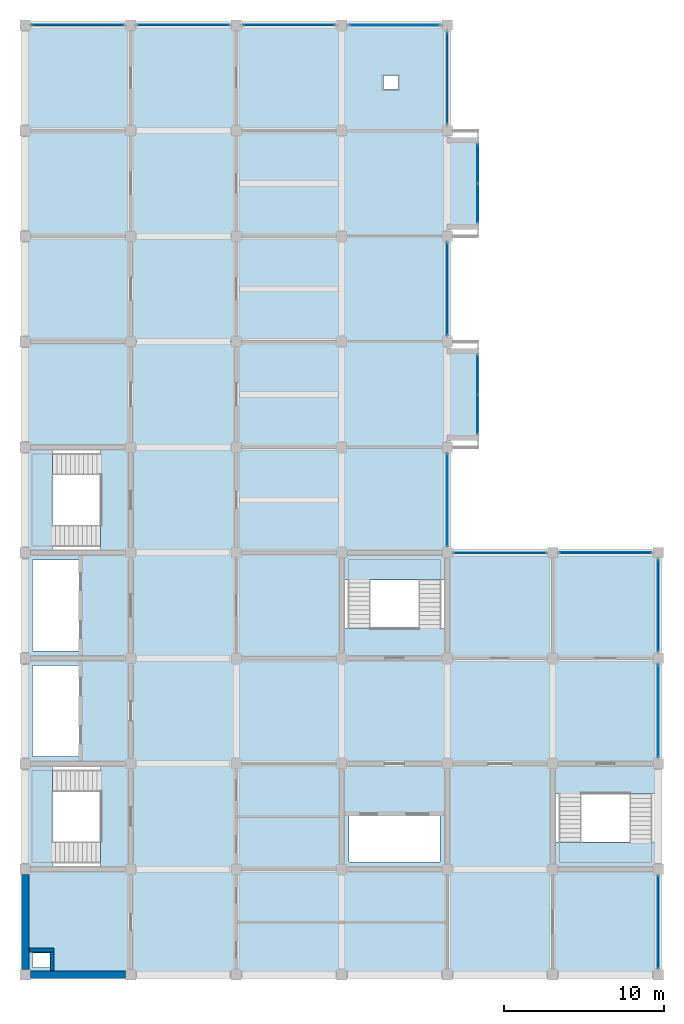
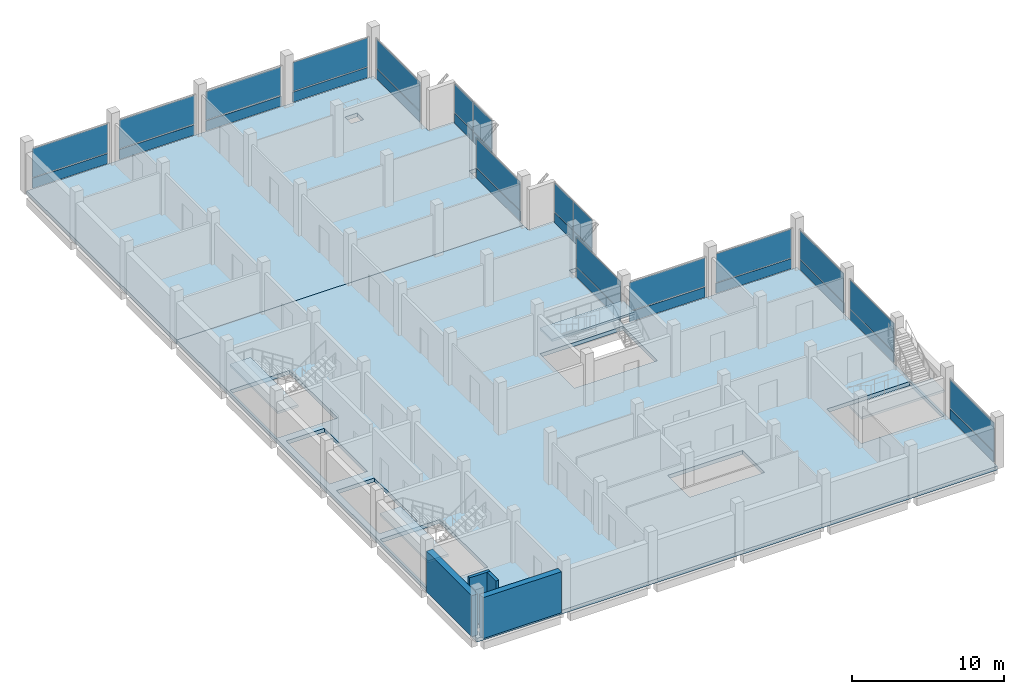
# One storey, part 6 of 10: 32 plates, 6 slabs, 4 walls, 18 elements without a shape of their own.
"""IFC4 building model written with IfcOpenShell, lengths in metres."""

from ifc_helpers import new_model, si_unit, direction, frame, frame_2d, origin, origin_2d, place, context, subcontext, project, spatial, polyline, rectangle, outline, extrude, material, layer, layer_set, type_object, element, aggregate, save


model = new_model("IFC4")

# Units and contexts
model_context = context("Model", 3, precision=1e-05, world=origin(), true_north=direction((0.0, 1.0)))
body_context = subcontext(model_context, "Body", "Model", "MODEL_VIEW")
ifc_project = project(units=[si_unit("LENGTHUNIT", "METRE"), si_unit("AREAUNIT", "SQUARE_METRE"), si_unit("VOLUMEUNIT", "CUBIC_METRE"), si_unit("PLANEANGLEUNIT", "RADIAN"), si_unit("MASSUNIT", "GRAM", prefix="KILO")], contexts=[model_context])

# Site, building, storey
site_placement = place(None, origin())
site = spatial("IfcSite", under=ifc_project, at=site_placement, CompositionType="ELEMENT")
building_placement = place(site_placement, origin())
building = spatial("IfcBuilding", under=site, at=building_placement, Name="Rusizi Kubbe Research Institute", CompositionType="ELEMENT")
storey_placement = place(building_placement, frame((0.0, 0.0, 52.199951171875)))
storey = spatial("IfcBuildingStorey", under=building, at=storey_placement, Name="L12", CompositionType="ELEMENT", Elevation=52.199951171875)

# Curtain wall, plate
ifc_material_1 = material(Name="Thermally Broken Aluminium and Low-E Glazing", Category="aluminium")
curtain_wall_type_1 = type_object("IfcCurtainWallType", Name="CW-15", PredefinedType="NOTDEFINED", material=ifc_material_1)
curtain_wall_1_placement = place(storey_placement, origin())
curtain_wall_1 = element("IfcCurtainWall", 1, at=curtain_wall_1_placement, inside=storey, type_object=curtain_wall_type_1, Name="Unitised Facade Curtain Wall CW-L12-H-03-09", PredefinedType="NOTDEFINED")
ifc_material_2 = material(Name="Double Low-E Solar Control Insulated Glass", Category="glass")
ifc_layer_1 = layer(ifc_material_2, 0.02392578125)
ifc_layer_set_1 = layer_set([ifc_layer_1], Name="Double Low-E Solar Control Insulated Glass")
plate_type_1 = type_object("IfcPlateType", Name="GL-01", PredefinedType="CURTAIN_PANEL", material=ifc_layer_set_1)
plate_1_placement = place(storey_placement, frame((23.10009765625, 59.39990234375, 0.929931640625), z_axis=(0.0, 0.0, 1.0), x_axis=(1.0, 0.0, 0.0)))
plate_1 = element("IfcPlate", 2, at=plate_1_placement, type_object=plate_type_1, Name="CW-15 panel 1.2", PredefinedType="CURTAIN_PANEL", context=body_context, shape_type="SweptSolid", body=[
    extrude(rectangle(XDim=5.739990234375, YDim=0.02392578125, at=origin_2d()), origin(), (0.0, 0.0, 1.0), 2.31005859375),
])

ifc_material_3 = material(Name="Thermally Broken Aluminium and Low-E Glazing", Category="aluminium")
curtain_wall_type_2 = type_object("IfcCurtainWallType", Name="CW-14", PredefinedType="NOTDEFINED", material=ifc_material_3)
curtain_wall_2_placement = place(storey_placement, origin())
curtain_wall_2 = element("IfcCurtainWall", 3, at=curtain_wall_2_placement, inside=storey, type_object=curtain_wall_type_2, Name="Unitised Facade Curtain Wall CW-L12-H-00-09", PredefinedType="NOTDEFINED")
ifc_material_4 = material(Name="Double Low-E Solar Control Insulated Glass", Category="glass")
ifc_layer_2 = layer(ifc_material_4, 0.028076171875)
ifc_layer_set_2 = layer_set([ifc_layer_2], Name="Double Low-E Solar Control Insulated Glass")
plate_type_2 = type_object("IfcPlateType", Name="GL-02", PredefinedType="CURTAIN_PANEL", material=ifc_layer_set_2)
plate_2_placement = place(storey_placement, frame((3.300048828125, 59.39990234375, 0.929931640625), z_axis=(0.0, 0.0, 1.0), x_axis=(1.0, 0.0, 0.0)))
plate_2 = element("IfcPlate", 4, at=plate_2_placement, type_object=plate_type_2, Name="CW-14 panel 1.2", PredefinedType="CURTAIN_PANEL", context=body_context, shape_type="SweptSolid", body=[
    extrude(rectangle(XDim=5.75, YDim=0.028076171875, at=origin_2d()), origin(), (0.0, 0.0, 1.0), 2.31005859375),
])

curtain_wall_3_placement = place(storey_placement, origin())
curtain_wall_3 = element("IfcCurtainWall", 5, at=curtain_wall_3_placement, inside=storey, type_object=curtain_wall_type_2, Name="Unitised Facade Curtain Wall CW-L12-V-04-08", PredefinedType="NOTDEFINED")
plate_3_placement = place(storey_placement, frame((26.39990234375, 56.10009765625, 0.929931640625), z_axis=(0.0, 0.0, 1.0), x_axis=(0.0, 1.0, 0.0)))
plate_3 = element("IfcPlate", 6, at=plate_3_placement, type_object=plate_type_2, Name="CW-14 panel 1.2", PredefinedType="CURTAIN_PANEL", context=body_context, shape_type="SweptSolid", body=[
    extrude(rectangle(XDim=5.72998046875, YDim=0.028076171875, at=origin_2d()), origin(), (0.0, 0.0, 1.0), 2.31005859375),
])

curtain_wall_4_placement = place(storey_placement, origin())
curtain_wall_4 = element("IfcCurtainWall", 7, at=curtain_wall_4_placement, inside=storey, type_object=curtain_wall_type_1, Name="Unitised Facade Curtain Wall CW-L12-H-01-09", PredefinedType="NOTDEFINED")
ifc_material_5 = material(Name="Double Low-E Solar Control Insulated Glass", Category="glass")
ifc_layer_3 = layer(ifc_material_5, 0.031982421875)
ifc_layer_set_3 = layer_set([ifc_layer_3], Name="Double Low-E Solar Control Insulated Glass")
plate_type_3 = type_object("IfcPlateType", Name="GL-03", PredefinedType="CURTAIN_PANEL", material=ifc_layer_set_3)
plate_4_placement = place(storey_placement, frame((9.89990234375, 59.39990234375, 0.9326171875), z_axis=(0.0, 0.0, 1.0), x_axis=(1.0, 0.0, 0.0)))
plate_4 = element("IfcPlate", 8, at=plate_4_placement, type_object=plate_type_3, Name="CW-15 panel 1.2", PredefinedType="CURTAIN_PANEL", context=body_context, shape_type="SweptSolid", body=[
    extrude(rectangle(XDim=5.739990234375, YDim=0.031982421875, at=origin_2d()), origin(), (0.0, 0.0, 1.0), 2.302490234375),
])

curtain_wall_5_placement = place(storey_placement, origin())
curtain_wall_5 = element("IfcCurtainWall", 9, at=curtain_wall_5_placement, inside=storey, type_object=curtain_wall_type_1, Name="Unitised Facade Curtain Wall CW-L12-H-04-04", PredefinedType="NOTDEFINED")
plate_5_placement = place(storey_placement, frame((29.699951171875, 26.39990234375, 0.9326171875), z_axis=(0.0, 0.0, 1.0), x_axis=(1.0, 0.0, 0.0)))
plate_5 = element("IfcPlate", 10, at=plate_5_placement, type_object=plate_type_3, Name="CW-15 panel 1.2", PredefinedType="CURTAIN_PANEL", context=body_context, shape_type="SweptSolid", body=[
    extrude(rectangle(XDim=5.77001953125, YDim=0.031982421875, at=origin_2d()), origin(), (0.0, 0.0, 1.0), 2.302490234375),
])

curtain_wall_6_placement = place(storey_placement, origin())
curtain_wall_6 = element("IfcCurtainWall", 11, at=curtain_wall_6_placement, inside=storey, type_object=curtain_wall_type_2, Name="Unitised Facade Curtain Wall CW-L12-H-02-09", PredefinedType="NOTDEFINED")
ifc_material_6 = material(Name="Double Low-E Solar Control Insulated Glass", Category="glass")
ifc_layer_4 = layer(ifc_material_6, 0.035888671875)
ifc_layer_set_4 = layer_set([ifc_layer_4], Name="Double Low-E Solar Control Insulated Glass")
plate_type_4 = type_object("IfcPlateType", Name="GL-04", PredefinedType="CURTAIN_PANEL", material=ifc_layer_set_4)
plate_6_placement = place(storey_placement, frame((16.5, 59.39990234375, 0.93505859375), z_axis=(0.0, 0.0, 1.0), x_axis=(1.0, 0.0, 0.0)))
plate_6 = element("IfcPlate", 12, at=plate_6_placement, type_object=plate_type_4, Name="CW-14 panel 1.2", PredefinedType="CURTAIN_PANEL", context=body_context, shape_type="SweptSolid", body=[
    extrude(rectangle(XDim=5.72998046875, YDim=0.035888671875, at=origin_2d()), origin(), (0.0, 0.0, 1.0), 2.294921875),
])

curtain_wall_7_placement = place(storey_placement, origin())
curtain_wall_7 = element("IfcCurtainWall", 13, at=curtain_wall_7_placement, inside=storey, type_object=curtain_wall_type_2, Name="Unitised Facade Curtain Wall CW-L12-V-06-00", PredefinedType="NOTDEFINED")
plate_7_placement = place(storey_placement, frame((39.60009765625, 3.300048828125, 0.93505859375), z_axis=(0.0, 0.0, 1.0), x_axis=(0.0, 1.0, 0.0)))
plate_7 = element("IfcPlate", 14, at=plate_7_placement, type_object=plate_type_4, Name="CW-14 panel 1.2", PredefinedType="CURTAIN_PANEL", context=body_context, shape_type="SweptSolid", body=[
    extrude(rectangle(XDim=5.77001953125, YDim=0.035888671875, at=origin_2d()), origin(), (0.0, 0.0, 1.0), 2.294921875),
])

curtain_wall_8_placement = place(storey_placement, origin())
curtain_wall_8 = element("IfcCurtainWall", 15, at=curtain_wall_8_placement, inside=storey, type_object=curtain_wall_type_1, Name="Unitised Facade Curtain Wall CW-L12-V-04-04", PredefinedType="NOTDEFINED")
ifc_material_7 = material(Name="Double Low-E Solar Control Insulated Glass", Category="glass")
ifc_layer_5 = layer(ifc_material_7, 0.0400390625)
ifc_layer_set_5 = layer_set([ifc_layer_5], Name="Double Low-E Solar Control Insulated Glass")
plate_type_5 = type_object("IfcPlateType", Name="GL-05", PredefinedType="CURTAIN_PANEL", material=ifc_layer_set_5)
plate_8_placement = place(storey_placement, frame((26.39990234375, 29.699951171875, 0.929931640625), z_axis=(0.0, 0.0, 1.0), x_axis=(0.0, 1.0, 0.0)))
plate_8 = element("IfcPlate", 16, at=plate_8_placement, type_object=plate_type_5, Name="CW-15 panel 1.2", PredefinedType="CURTAIN_PANEL", context=body_context, shape_type="SweptSolid", body=[
    extrude(rectangle(XDim=5.77001953125, YDim=0.0400390625, at=origin_2d()), origin(), (0.0, 0.0, 1.0), 2.31005859375),
])

curtain_wall_9_placement = place(storey_placement, origin())
curtain_wall_9 = element("IfcCurtainWall", 17, at=curtain_wall_9_placement, inside=storey, type_object=curtain_wall_type_1, Name="Unitised Facade Curtain Wall CW-L12-V-06-02", PredefinedType="NOTDEFINED")
plate_9_placement = place(storey_placement, frame((39.60009765625, 16.5, 0.929931640625), z_axis=(0.0, 0.0, 1.0), x_axis=(0.0, 1.0, 0.0)))
plate_9 = element("IfcPlate", 18, at=plate_9_placement, type_object=plate_type_5, Name="CW-15 panel 1.2", PredefinedType="CURTAIN_PANEL", context=body_context, shape_type="SweptSolid", body=[
    extrude(rectangle(XDim=5.760009765625, YDim=0.0400390625, at=origin_2d()), origin(), (0.0, 0.0, 1.0), 2.31005859375),
])

# Curtain wall, plates
ifc_material_8 = material(Name="Thermally Broken Aluminium and Low-E Glazing", Category="aluminium")
curtain_wall_type_3 = type_object("IfcCurtainWallType", Name="CW-04", PredefinedType="NOTDEFINED", material=ifc_material_8)
curtain_wall_10_placement = place(storey_placement, origin())
curtain_wall_10 = element("IfcCurtainWall", 19, at=curtain_wall_10_placement, inside=storey, type_object=curtain_wall_type_3, Name="Cumba Glazed Curtain Wall CW-CUMBA-L12-133", PredefinedType="NOTDEFINED")
ifc_material_9 = material(Name="Double Low-E Solar Control Insulated Glass", Category="glass")
ifc_layer_6 = layer(ifc_material_9, 0.0439453125)
ifc_layer_set_6 = layer_set([ifc_layer_6], Name="Double Low-E Solar Control Insulated Glass")
plate_type_6 = type_object("IfcPlateType", Name="GL-06", PredefinedType="CURTAIN_PANEL", material=ifc_layer_set_6)
plate_10_placement = place(storey_placement, frame((28.300048828125, 35.05615234375, 0.929931640625), z_axis=(0.0, 0.0, 1.0), x_axis=(0.0, 1.0, 0.0)))
plate_10 = element("IfcPlate", 20, at=plate_10_placement, type_object=plate_type_6, Name="CW-04 panel 1.2", PredefinedType="CURTAIN_PANEL", context=body_context, shape_type="SweptSolid", body=[
    extrude(rectangle(XDim=2.427490234375, YDim=0.0439453125, at=origin_2d()), origin(), (0.0, 0.0, 1.0), 2.31005859375),
])
plate_11_placement = place(storey_placement, frame((28.300048828125, 37.543701171875, 0.929931640625), z_axis=(0.0, 0.0, 1.0), x_axis=(0.0, 1.0, 0.0)))
plate_11 = element("IfcPlate", 21, at=plate_11_placement, type_object=plate_type_6, Name="CW-04 panel 2.2", PredefinedType="CURTAIN_PANEL", context=body_context, shape_type="SweptSolid", body=[
    extrude(rectangle(XDim=2.427490234375, YDim=0.0439453125, at=origin_2d()), origin(), (0.0, 0.0, 1.0), 2.31005859375),
])

# Curtain wall, plate
curtain_wall_11_placement = place(storey_placement, origin())
curtain_wall_11 = element("IfcCurtainWall", 22, at=curtain_wall_11_placement, inside=storey, type_object=curtain_wall_type_2, Name="Unitised Facade Curtain Wall CW-L12-H-05-04", PredefinedType="NOTDEFINED")
plate_12_placement = place(storey_placement, frame((36.300048828125, 26.39990234375, 0.929931640625), z_axis=(0.0, 0.0, 1.0), x_axis=(1.0, 0.0, 0.0)))
plate_12 = element("IfcPlate", 23, at=plate_12_placement, type_object=plate_type_6, Name="CW-14 panel 1.2", PredefinedType="CURTAIN_PANEL", context=body_context, shape_type="SweptSolid", body=[
    extrude(rectangle(XDim=5.75, YDim=0.0439453125, at=origin_2d()), origin(), (0.0, 0.0, 1.0), 2.31005859375),
])

curtain_wall_12_placement = place(storey_placement, origin())
curtain_wall_12 = element("IfcCurtainWall", 24, at=curtain_wall_12_placement, inside=storey, type_object=curtain_wall_type_2, Name="Unitised Facade Curtain Wall CW-L12-V-04-06", PredefinedType="NOTDEFINED")
ifc_material_10 = material(Name="Double Low-E Solar Control Insulated Glass", Category="glass")
ifc_layer_7 = layer(ifc_material_10, 0.048095703125)
ifc_layer_set_7 = layer_set([ifc_layer_7], Name="Double Low-E Solar Control Insulated Glass")
plate_type_7 = type_object("IfcPlateType", Name="GL-07", PredefinedType="CURTAIN_PANEL", material=ifc_layer_set_7)
plate_13_placement = place(storey_placement, frame((26.39990234375, 42.89990234375, 0.9326171875), z_axis=(0.0, 0.0, 1.0), x_axis=(0.0, 1.0, 0.0)))
plate_13 = element("IfcPlate", 25, at=plate_13_placement, type_object=plate_type_7, Name="CW-14 panel 1.2", PredefinedType="CURTAIN_PANEL", context=body_context, shape_type="SweptSolid", body=[
    extrude(rectangle(XDim=5.760009765625, YDim=0.048095703125, at=origin_2d()), origin(), (0.0, 0.0, 1.0), 2.302490234375),
])

curtain_wall_13_placement = place(storey_placement, origin())
curtain_wall_13 = element("IfcCurtainWall", 26, at=curtain_wall_13_placement, inside=storey, type_object=curtain_wall_type_1, Name="Unitised Facade Curtain Wall CW-L12-V-06-03", PredefinedType="NOTDEFINED")
plate_14_placement = place(storey_placement, frame((39.60009765625, 23.10009765625, 0.9326171875), z_axis=(0.0, 0.0, 1.0), x_axis=(0.0, 1.0, 0.0)))
plate_14 = element("IfcPlate", 27, at=plate_14_placement, type_object=plate_type_7, Name="CW-15 panel 1.2", PredefinedType="CURTAIN_PANEL", context=body_context, shape_type="SweptSolid", body=[
    extrude(rectangle(XDim=5.739990234375, YDim=0.048095703125, at=origin_2d()), origin(), (0.0, 0.0, 1.0), 2.302490234375),
])

# Curtain wall, plates
curtain_wall_14_placement = place(storey_placement, origin())
curtain_wall_14 = element("IfcCurtainWall", 28, at=curtain_wall_14_placement, inside=storey, type_object=curtain_wall_type_3, Name="Cumba Glazed Curtain Wall CW-CUMBA-L12-135", PredefinedType="NOTDEFINED")
ifc_material_11 = material(Name="Double Low-E Solar Control Insulated Glass", Category="glass")
ifc_layer_8 = layer(ifc_material_11, 0.052001953125)
ifc_layer_set_8 = layer_set([ifc_layer_8], Name="Double Low-E Solar Control Insulated Glass")
plate_type_8 = type_object("IfcPlateType", Name="GL-08", PredefinedType="CURTAIN_PANEL", material=ifc_layer_set_8)
plate_15_placement = place(storey_placement, frame((28.300048828125, 48.2587890625, 0.93505859375), z_axis=(0.0, 0.0, 1.0), x_axis=(0.0, 1.0, 0.0)))
plate_15 = element("IfcPlate", 29, at=plate_15_placement, type_object=plate_type_8, Name="CW-04 panel 1.2", PredefinedType="CURTAIN_PANEL", context=body_context, shape_type="SweptSolid", body=[
    extrude(rectangle(XDim=2.41259765625, YDim=0.052001953125, at=origin_2d()), origin(), (0.0, 0.0, 1.0), 2.294921875),
])
plate_16_placement = place(storey_placement, frame((28.300048828125, 50.7412109375, 0.93505859375), z_axis=(0.0, 0.0, 1.0), x_axis=(0.0, 1.0, 0.0)))
plate_16 = element("IfcPlate", 30, at=plate_16_placement, type_object=plate_type_8, Name="CW-04 panel 2.2", PredefinedType="CURTAIN_PANEL", context=body_context, shape_type="SweptSolid", body=[
    extrude(rectangle(XDim=2.41259765625, YDim=0.052001953125, at=origin_2d()), origin(), (0.0, 0.0, 1.0), 2.294921875),
])

# Slabs
ifc_material_12 = material(Name="Concrete C40/50", Category="concrete")
ifc_layer_9 = layer(ifc_material_12, 0.31005859375)
ifc_layer_set_9 = layer_set([ifc_layer_9], Name="Concrete C40/50")
slab_type_1 = type_object("IfcSlabType", Name="SL-F310", PredefinedType="FLOOR", material=ifc_layer_set_9)
slab_1_placement = place(storey_placement, frame((0.0, 0.0, -0.31005859375)))
element("IfcSlab", 31, at=slab_1_placement, inside=storey, type_object=slab_type_1, Name="Structural Slab L12 CORE", PredefinedType="FLOOR", context=body_context, shape_type="SweptSolid", body=[
    extrude(outline(polyline([(0.0, 39.60009765625), (6.60009765625, 39.60009765625), (13.199951171875, 39.60009765625), (19.800048828125, 39.60009765625), (26.39990234375, 39.60009765625), (26.39990234375, 39.0), (28.39990234375, 39.0), (28.39990234375, 33.60009765625), (26.39990234375, 33.60009765625), (26.39990234375, 33.0), (26.39990234375, 26.39990234375), (33.0, 26.39990234375), (39.60009765625, 26.39990234375), (39.60009765625, 19.800048828125), (39.60009765625, 13.199951171875), (39.60009765625, 6.60009765625), (39.60009765625, 0.0), (33.0, 0.0), (26.39990234375, 0.0), (19.800048828125, 0.0), (13.199951171875, 0.0), (6.60009765625, 0.0), (0.0, 0.0), (0.0, 6.60009765625), (0.0, 13.199951171875), (0.0, 19.800048828125), (0.0, 26.39990234375), (0.0, 33.0), (0.0, 39.60009765625)]), holes=[polyline([(0.449951171875, 1.35009765625), (0.449951171875, 0.449951171875), (1.550048828125, 0.449951171875), (1.550048828125, 1.35009765625), (0.449951171875, 1.35009765625)]), polyline([(20.25, 9.949951171875), (20.25, 7.050048828125), (25.949951171875, 7.050048828125), (25.949951171875, 9.949951171875), (20.25, 9.949951171875)]), polyline([(33.139892578125, 11.300048828125), (33.139892578125, 6.739990234375), (39.4599609375, 6.739990234375), (39.4599609375, 11.300048828125), (33.139892578125, 11.300048828125)]), polyline([(0.139892578125, 13.06005859375), (0.139892578125, 6.739990234375), (4.699951171875, 6.739990234375), (4.699951171875, 13.06005859375), (0.139892578125, 13.06005859375)]), polyline([(0.449951171875, 19.35009765625), (0.449951171875, 13.64990234375), (3.35009765625, 13.64990234375), (3.35009765625, 19.35009765625), (0.449951171875, 19.35009765625)]), polyline([(0.449951171875, 25.949951171875), (0.449951171875, 20.25), (3.35009765625, 20.25), (3.35009765625, 25.949951171875), (0.449951171875, 25.949951171875)]), polyline([(19.93994140625, 26.260009765625), (19.93994140625, 21.699951171875), (26.260009765625, 21.699951171875), (26.260009765625, 26.260009765625), (19.93994140625, 26.260009765625)]), polyline([(0.139892578125, 32.860107421875), (0.139892578125, 26.5400390625), (4.699951171875, 26.5400390625), (4.699951171875, 32.860107421875), (0.139892578125, 32.860107421875)])]), origin(), (0.0, 0.0, 1.0), 0.31005859375),
])
slab_2_placement = place(storey_placement, frame((0.0, 0.0, -0.31005859375)))
element("IfcSlab", 32, at=slab_2_placement, inside=storey, type_object=slab_type_1, Name="Structural Slab L12 NORTHA", PredefinedType="FLOOR", context=body_context, shape_type="SweptSolid", body=[
    extrude(outline(polyline([(6.60009765625, 59.39990234375), (13.199951171875, 59.39990234375), (19.800048828125, 59.39990234375), (26.39990234375, 59.39990234375), (26.39990234375, 52.800048828125), (26.39990234375, 52.199951171875), (28.39990234375, 52.199951171875), (28.39990234375, 46.800048828125), (26.39990234375, 46.800048828125), (26.39990234375, 46.199951171875), (26.39990234375, 39.60009765625), (19.800048828125, 39.60009765625), (13.199951171875, 39.60009765625), (6.60009765625, 39.60009765625), (0.0, 39.60009765625), (0.0, 46.199951171875), (0.0, 52.800048828125), (0.0, 59.39990234375), (6.60009765625, 59.39990234375)]), holes=[polyline([(23.35009765625, 56.25), (22.39990234375, 56.25), (22.39990234375, 55.39990234375), (23.35009765625, 55.39990234375), (23.35009765625, 56.25)])]), origin(), (0.0, 0.0, 1.0), 0.31005859375),
])

# Stair, slab
ifc_material_13 = material(Name="Concrete C40/50", Category="concrete")
stair_type_1 = type_object("IfcStairType", Name="ST-H420A", PredefinedType="HALF_TURN_STAIR", material=ifc_material_13)
stair_1_placement = place(storey_placement, origin())
stair_1 = element("IfcStair", 33, at=stair_1_placement, inside=storey, type_object=stair_type_1, Name="Protected Exit Stair ST1 (L12)", PredefinedType="HALF_TURN_STAIR")
ifc_material_14 = material(Name="Concrete C40/50", Category="concrete")
ifc_layer_10 = layer(ifc_material_14, 0.179931640625)
ifc_layer_set_10 = layer_set([ifc_layer_10], Name="Concrete C40/50")
slab_type_2 = type_object("IfcSlabType", Name="SL-L180", PredefinedType="LANDING", material=ifc_layer_set_10)
slab_3_placement = place(storey_placement, frame((0.0, 0.0, 1.920166015625)))
slab_3 = element("IfcSlab", 34, at=slab_3_placement, type_object=slab_type_2, Name="ST1 landing 1", PredefinedType="LANDING", context=body_context, shape_type="SweptSolid", body=[
    extrude(outline(polyline([(1.7060546875, 13.06005859375), (0.139892578125, 13.06005859375), (0.139892578125, 6.739990234375), (1.7060546875, 6.739990234375), (1.7060546875, 13.06005859375)])), origin(), (0.0, 0.0, 1.0), 0.179931640625),
])
aggregate(stair_1, [slab_3])

stair_2_placement = place(storey_placement, origin())
stair_2 = element("IfcStair", 35, at=stair_2_placement, inside=storey, type_object=stair_type_1, Name="Protected Exit Stair ST2 (L12)", PredefinedType="HALF_TURN_STAIR")
slab_4_placement = place(storey_placement, frame((0.0, 0.0, 1.920166015625)))
slab_4 = element("IfcSlab", 36, at=slab_4_placement, type_object=slab_type_2, Name="ST2 landing 1", PredefinedType="LANDING", context=body_context, shape_type="SweptSolid", body=[
    extrude(outline(polyline([(1.7060546875, 32.860107421875), (0.139892578125, 32.860107421875), (0.139892578125, 26.5400390625), (1.7060546875, 26.5400390625), (1.7060546875, 32.860107421875)])), origin(), (0.0, 0.0, 1.0), 0.179931640625),
])
aggregate(stair_2, [slab_4])

ifc_material_15 = material(Name="Concrete C40/50", Category="concrete")
stair_type_2 = type_object("IfcStairType", Name="ST-H420B", PredefinedType="HALF_TURN_STAIR", material=ifc_material_15)
stair_3_placement = place(storey_placement, origin())
stair_3 = element("IfcStair", 37, at=stair_3_placement, inside=storey, type_object=stair_type_2, Name="Protected Exit Stair ST3 (L12)", PredefinedType="HALF_TURN_STAIR")
slab_5_placement = place(storey_placement, frame((0.0, 0.0, 1.920166015625)))
slab_5 = element("IfcSlab", 38, at=slab_5_placement, type_object=slab_type_2, Name="ST3 landing 1", PredefinedType="LANDING", context=body_context, shape_type="SweptSolid", body=[
    extrude(outline(polyline([(26.260009765625, 24.694091796875), (26.260009765625, 26.260009765625), (19.93994140625, 26.260009765625), (19.93994140625, 24.694091796875), (26.260009765625, 24.694091796875)])), origin(), (0.0, 0.0, 1.0), 0.179931640625),
])
aggregate(stair_3, [slab_5])

stair_4_placement = place(storey_placement, origin())
stair_4 = element("IfcStair", 39, at=stair_4_placement, inside=storey, type_object=stair_type_2, Name="Protected Exit Stair ST4 (L12)", PredefinedType="HALF_TURN_STAIR")
slab_6_placement = place(storey_placement, frame((0.0, 0.0, 1.920166015625)))
slab_6 = element("IfcSlab", 40, at=slab_6_placement, type_object=slab_type_2, Name="ST4 landing 1", PredefinedType="LANDING", context=body_context, shape_type="SweptSolid", body=[
    extrude(outline(polyline([(33.139892578125, 8.305908203125), (33.139892578125, 6.739990234375), (39.4599609375, 6.739990234375), (39.4599609375, 8.305908203125), (33.139892578125, 8.305908203125)])), origin(), (0.0, 0.0, 1.0), 0.179931640625),
])
aggregate(stair_4, [slab_6])

# Plate
ifc_material_16 = material(Name="Ceramic-Frit Insulated Spandrel Panel", Category="glass")
ifc_layer_11 = layer(ifc_material_16, 0.05810546875)
ifc_layer_set_11 = layer_set([ifc_layer_11], Name="Ceramic-Frit Insulated Spandrel Panel")
plate_type_9 = type_object("IfcPlateType", Name="SP-01", PredefinedType="CURTAIN_PANEL", material=ifc_layer_set_11)
plate_17_placement = place(storey_placement, frame((26.39990234375, 29.699951171875, 0.06005859375), z_axis=(0.0, 0.0, 1.0), x_axis=(0.0, 1.0, 0.0)))
plate_17 = element("IfcPlate", 41, at=plate_17_placement, type_object=plate_type_9, Name="CW-15 panel 1.1", PredefinedType="CURTAIN_PANEL", context=body_context, shape_type="SweptSolid", body=[
    extrude(rectangle(XDim=5.77001953125, YDim=0.05810546875, at=origin_2d()), origin(), (0.0, 0.0, 1.0), 0.81005859375),
])

aggregate(curtain_wall_8, [plate_17, plate_8])

plate_18_placement = place(storey_placement, frame((23.10009765625, 59.39990234375, 0.06005859375), z_axis=(0.0, 0.0, 1.0), x_axis=(1.0, 0.0, 0.0)))
plate_18 = element("IfcPlate", 42, at=plate_18_placement, type_object=plate_type_9, Name="CW-15 panel 1.1", PredefinedType="CURTAIN_PANEL", context=body_context, shape_type="SweptSolid", body=[
    extrude(rectangle(XDim=5.739990234375, YDim=0.05810546875, at=origin_2d()), origin(), (0.0, 0.0, 1.0), 0.81005859375),
])

aggregate(curtain_wall_1, [plate_18, plate_1])

plate_19_placement = place(storey_placement, frame((39.60009765625, 16.5, 0.06005859375), z_axis=(0.0, 0.0, 1.0), x_axis=(0.0, 1.0, 0.0)))
plate_19 = element("IfcPlate", 43, at=plate_19_placement, type_object=plate_type_9, Name="CW-15 panel 1.1", PredefinedType="CURTAIN_PANEL", context=body_context, shape_type="SweptSolid", body=[
    extrude(rectangle(XDim=5.760009765625, YDim=0.05810546875, at=origin_2d()), origin(), (0.0, 0.0, 1.0), 0.81005859375),
])

aggregate(curtain_wall_9, [plate_19, plate_9])

ifc_material_17 = material(Name="Ceramic-Frit Insulated Spandrel Panel", Category="glass")
ifc_layer_12 = layer(ifc_material_17, 0.06396484375)
ifc_layer_set_12 = layer_set([ifc_layer_12], Name="Ceramic-Frit Insulated Spandrel Panel")
plate_type_10 = type_object("IfcPlateType", Name="SP-02", PredefinedType="CURTAIN_PANEL", material=ifc_layer_set_12)
plate_20_placement = place(storey_placement, frame((3.300048828125, 59.39990234375, 0.06005859375), z_axis=(0.0, 0.0, 1.0), x_axis=(1.0, 0.0, 0.0)))
plate_20 = element("IfcPlate", 44, at=plate_20_placement, type_object=plate_type_10, Name="CW-14 panel 1.1", PredefinedType="CURTAIN_PANEL", context=body_context, shape_type="SweptSolid", body=[
    extrude(rectangle(XDim=5.75, YDim=0.06396484375, at=origin_2d()), origin(), (0.0, 0.0, 1.0), 0.81005859375),
])

aggregate(curtain_wall_2, [plate_20, plate_2])

plate_21_placement = place(storey_placement, frame((28.300048828125, 35.05615234375, 0.06005859375), z_axis=(0.0, 0.0, 1.0), x_axis=(0.0, 1.0, 0.0)))
plate_21 = element("IfcPlate", 45, at=plate_21_placement, type_object=plate_type_10, Name="CW-04 panel 1.1", PredefinedType="CURTAIN_PANEL", context=body_context, shape_type="SweptSolid", body=[
    extrude(rectangle(XDim=2.427490234375, YDim=0.06396484375, at=origin_2d()), origin(), (0.0, 0.0, 1.0), 0.81005859375),
])

plate_22_placement = place(storey_placement, frame((28.300048828125, 37.543701171875, 0.06005859375), z_axis=(0.0, 0.0, 1.0), x_axis=(0.0, 1.0, 0.0)))
plate_22 = element("IfcPlate", 46, at=plate_22_placement, type_object=plate_type_10, Name="CW-04 panel 2.1", PredefinedType="CURTAIN_PANEL", context=body_context, shape_type="SweptSolid", body=[
    extrude(rectangle(XDim=2.427490234375, YDim=0.06396484375, at=origin_2d()), origin(), (0.0, 0.0, 1.0), 0.81005859375),
])

aggregate(curtain_wall_10, [plate_21, plate_10, plate_22, plate_11])

plate_23_placement = place(storey_placement, frame((26.39990234375, 56.10009765625, 0.06005859375), z_axis=(0.0, 0.0, 1.0), x_axis=(0.0, 1.0, 0.0)))
plate_23 = element("IfcPlate", 47, at=plate_23_placement, type_object=plate_type_10, Name="CW-14 panel 1.1", PredefinedType="CURTAIN_PANEL", context=body_context, shape_type="SweptSolid", body=[
    extrude(rectangle(XDim=5.72998046875, YDim=0.06396484375, at=origin_2d()), origin(), (0.0, 0.0, 1.0), 0.81005859375),
])

aggregate(curtain_wall_3, [plate_23, plate_3])

plate_24_placement = place(storey_placement, frame((36.300048828125, 26.39990234375, 0.06005859375), z_axis=(0.0, 0.0, 1.0), x_axis=(1.0, 0.0, 0.0)))
plate_24 = element("IfcPlate", 48, at=plate_24_placement, type_object=plate_type_10, Name="CW-14 panel 1.1", PredefinedType="CURTAIN_PANEL", context=body_context, shape_type="SweptSolid", body=[
    extrude(rectangle(XDim=5.75, YDim=0.06396484375, at=origin_2d()), origin(), (0.0, 0.0, 1.0), 0.81005859375),
])

aggregate(curtain_wall_11, [plate_24, plate_12])

ifc_material_18 = material(Name="Ceramic-Frit Insulated Spandrel Panel", Category="glass")
ifc_layer_13 = layer(ifc_material_18, 0.070068359375)
ifc_layer_set_13 = layer_set([ifc_layer_13], Name="Ceramic-Frit Insulated Spandrel Panel")
plate_type_11 = type_object("IfcPlateType", Name="SP-03", PredefinedType="CURTAIN_PANEL", material=ifc_layer_set_13)
plate_25_placement = place(storey_placement, frame((9.89990234375, 59.39990234375, 0.06494140625), z_axis=(0.0, 0.0, 1.0), x_axis=(1.0, 0.0, 0.0)))
plate_25 = element("IfcPlate", 49, at=plate_25_placement, type_object=plate_type_11, Name="CW-15 panel 1.1", PredefinedType="CURTAIN_PANEL", context=body_context, shape_type="SweptSolid", body=[
    extrude(rectangle(XDim=5.739990234375, YDim=0.070068359375, at=origin_2d()), origin(), (0.0, 0.0, 1.0), 0.802490234375),
])

aggregate(curtain_wall_4, [plate_25, plate_4])

plate_26_placement = place(storey_placement, frame((26.39990234375, 42.89990234375, 0.06494140625), z_axis=(0.0, 0.0, 1.0), x_axis=(0.0, 1.0, 0.0)))
plate_26 = element("IfcPlate", 50, at=plate_26_placement, type_object=plate_type_11, Name="CW-14 panel 1.1", PredefinedType="CURTAIN_PANEL", context=body_context, shape_type="SweptSolid", body=[
    extrude(rectangle(XDim=5.760009765625, YDim=0.070068359375, at=origin_2d()), origin(), (0.0, 0.0, 1.0), 0.802490234375),
])

aggregate(curtain_wall_12, [plate_26, plate_13])

plate_27_placement = place(storey_placement, frame((29.699951171875, 26.39990234375, 0.06494140625), z_axis=(0.0, 0.0, 1.0), x_axis=(1.0, 0.0, 0.0)))
plate_27 = element("IfcPlate", 51, at=plate_27_placement, type_object=plate_type_11, Name="CW-15 panel 1.1", PredefinedType="CURTAIN_PANEL", context=body_context, shape_type="SweptSolid", body=[
    extrude(rectangle(XDim=5.77001953125, YDim=0.070068359375, at=origin_2d()), origin(), (0.0, 0.0, 1.0), 0.802490234375),
])

aggregate(curtain_wall_5, [plate_27, plate_5])

plate_28_placement = place(storey_placement, frame((39.60009765625, 23.10009765625, 0.06494140625), z_axis=(0.0, 0.0, 1.0), x_axis=(0.0, 1.0, 0.0)))
plate_28 = element("IfcPlate", 52, at=plate_28_placement, type_object=plate_type_11, Name="CW-15 panel 1.1", PredefinedType="CURTAIN_PANEL", context=body_context, shape_type="SweptSolid", body=[
    extrude(rectangle(XDim=5.739990234375, YDim=0.070068359375, at=origin_2d()), origin(), (0.0, 0.0, 1.0), 0.802490234375),
])

aggregate(curtain_wall_13, [plate_28, plate_14])

ifc_material_19 = material(Name="Ceramic-Frit Insulated Spandrel Panel", Category="glass")
ifc_layer_14 = layer(ifc_material_19, 0.075927734375)
ifc_layer_set_14 = layer_set([ifc_layer_14], Name="Ceramic-Frit Insulated Spandrel Panel")
plate_type_12 = type_object("IfcPlateType", Name="SP-04", PredefinedType="CURTAIN_PANEL", material=ifc_layer_set_14)
plate_29_placement = place(storey_placement, frame((16.5, 59.39990234375, 0.070068359375), z_axis=(0.0, 0.0, 1.0), x_axis=(1.0, 0.0, 0.0)))
plate_29 = element("IfcPlate", 53, at=plate_29_placement, type_object=plate_type_12, Name="CW-14 panel 1.1", PredefinedType="CURTAIN_PANEL", context=body_context, shape_type="SweptSolid", body=[
    extrude(rectangle(XDim=5.72998046875, YDim=0.075927734375, at=origin_2d()), origin(), (0.0, 0.0, 1.0), 0.794921875),
])

aggregate(curtain_wall_6, [plate_29, plate_6])

plate_30_placement = place(storey_placement, frame((28.300048828125, 48.2587890625, 0.070068359375), z_axis=(0.0, 0.0, 1.0), x_axis=(0.0, 1.0, 0.0)))
plate_30 = element("IfcPlate", 54, at=plate_30_placement, type_object=plate_type_12, Name="CW-04 panel 1.1", PredefinedType="CURTAIN_PANEL", context=body_context, shape_type="SweptSolid", body=[
    extrude(rectangle(XDim=2.41259765625, YDim=0.075927734375, at=origin_2d()), origin(), (0.0, 0.0, 1.0), 0.794921875),
])

plate_31_placement = place(storey_placement, frame((28.300048828125, 50.7412109375, 0.070068359375), z_axis=(0.0, 0.0, 1.0), x_axis=(0.0, 1.0, 0.0)))
plate_31 = element("IfcPlate", 55, at=plate_31_placement, type_object=plate_type_12, Name="CW-04 panel 2.1", PredefinedType="CURTAIN_PANEL", context=body_context, shape_type="SweptSolid", body=[
    extrude(rectangle(XDim=2.41259765625, YDim=0.075927734375, at=origin_2d()), origin(), (0.0, 0.0, 1.0), 0.794921875),
])

aggregate(curtain_wall_14, [plate_30, plate_15, plate_31, plate_16])

plate_32_placement = place(storey_placement, frame((39.60009765625, 3.300048828125, 0.070068359375), z_axis=(0.0, 0.0, 1.0), x_axis=(0.0, 1.0, 0.0)))
plate_32 = element("IfcPlate", 56, at=plate_32_placement, type_object=plate_type_12, Name="CW-14 panel 1.1", PredefinedType="CURTAIN_PANEL", context=body_context, shape_type="SweptSolid", body=[
    extrude(rectangle(XDim=5.77001953125, YDim=0.075927734375, at=origin_2d()), origin(), (0.0, 0.0, 1.0), 0.794921875),
])

aggregate(curtain_wall_7, [plate_32, plate_7])

# Walls
ifc_material_20 = material(Name="Concrete Blockwork Fire Partition", Category="masonry")
ifc_layer_15 = layer(ifc_material_20, 0.22509765625)
ifc_layer_set_15 = layer_set([ifc_layer_15], Name="Concrete Blockwork Fire Partition")
wall_type_1 = type_object("IfcWallType", Name="IW-01", PredefinedType="PARTITIONING", material=ifc_layer_set_15)
wall_1_placement = place(storey_placement, frame((1.679931640625, 0.260009765625, 0.0), z_axis=(0.0, 0.0, 1.0), x_axis=(0.0, 1.0, 0.0)))
element("IfcWall", 57, at=wall_1_placement, inside=storey, type_object=wall_type_1, Name="Riser Shaft Wall E L12", PredefinedType="PARTITIONING", context=body_context, shape_type="SweptSolid", body=[
    extrude(rectangle(XDim=1.169921875, YDim=0.22509765625, at=frame_2d((0.5849609375, 0.0))), origin(), (0.0, 0.0, 1.0), 3.900146484375),
])
wall_2_placement = place(storey_placement, frame((0.260009765625, 1.550048828125, 0.0), z_axis=(0.0, 0.0, 1.0), x_axis=(1.0, 0.0, 0.0)))
element("IfcWall", 58, at=wall_2_placement, inside=storey, type_object=wall_type_1, Name="Riser Shaft Wall N L12", PredefinedType="PARTITIONING", context=body_context, shape_type="SweptSolid", body=[
    extrude(rectangle(XDim=1.5400390625, YDim=0.22509765625, at=frame_2d((0.77001953125, 0.0))), origin(), (0.0, 0.0, 1.0), 3.900146484375),
])
ifc_material_21 = material(Name="Concrete C40/50", Category="concrete")
ifc_layer_16 = layer(ifc_material_21, 0.4599609375)
ifc_layer_set_16 = layer_set([ifc_layer_16], Name="Concrete C40/50")
wall_type_2 = type_object("IfcWallType", Name="PW-02", PredefinedType="SOLIDWALL", material=ifc_layer_set_16)
for number, where, z_axis, x_axis, name in (
    (59, (0.324951171875, 0.0, 0.0), (0.0, 0.0, 1.0), (1.0, 0.0, 0.0), "Blind Party Wall L12 H0-0"),
    (60, (0.0, 0.324951171875, 0.0), (0.0, 0.0, 1.0), (0.0, 1.0, 0.0), "Blind Party Wall L12 V0-0"),
):
    element("IfcWall", number, at=place(storey_placement, frame(where, z_axis=z_axis, x_axis=x_axis)), inside=storey, type_object=wall_type_2, Name=name, PredefinedType="SOLIDWALL", context=body_context, shape_type="SweptSolid", body=[
        extrude(rectangle(XDim=5.949951171875, YDim=0.4599609375, at=frame_2d((2.97509765625, 0.0))), origin(), (0.0, 0.0, 1.0), 3.300048828125),
    ])

save(model, "model.ifc")
